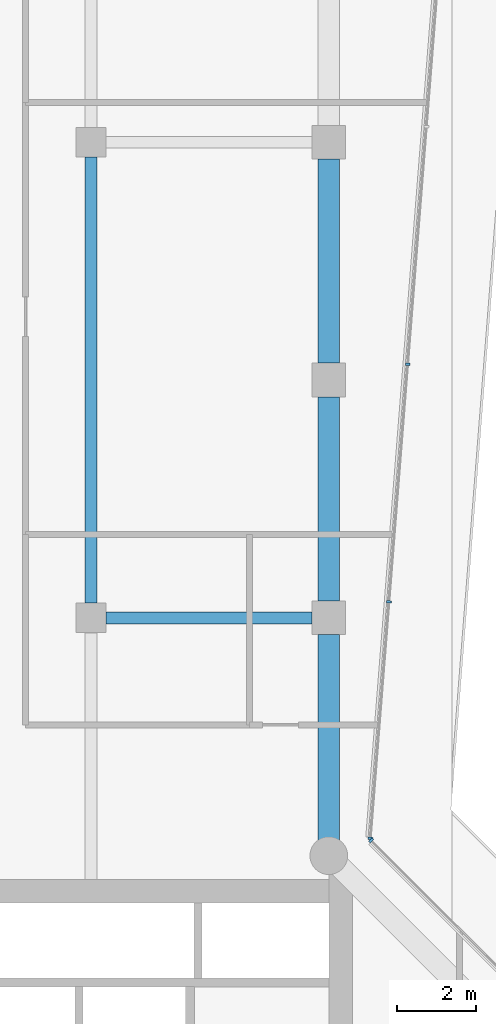
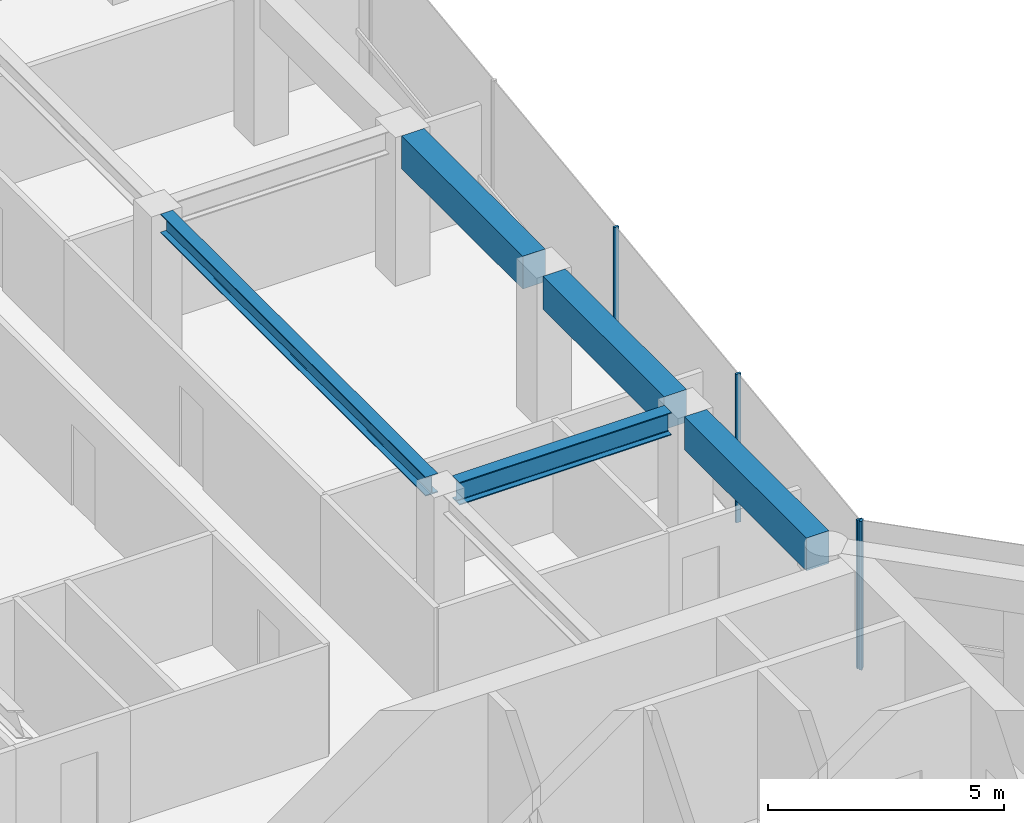
# One storey, part 9 of 22: 5 beams, 4 members, 2 elements without a shape of their own.
"""IFC4 building model written with IfcOpenShell, lengths in metres."""

from ifc_helpers import new_model, si_unit, direction, frame, origin, origin_2d, place, context, subcontext, project, spatial, rectangle, i_section, extrude, material, layer, layer_set, material_profile, profile_set, type_object, element, aggregate, save


model = new_model("IFC4")

# Units and contexts
model_context = context("Model", 3, precision=1e-05, world=origin(), true_north=direction((0.0, 1.0)))
body_context = subcontext(model_context, "Body", "Model", "MODEL_VIEW")
ifc_project = project(units=[si_unit("LENGTHUNIT", "METRE"), si_unit("AREAUNIT", "SQUARE_METRE"), si_unit("VOLUMEUNIT", "CUBIC_METRE"), si_unit("PLANEANGLEUNIT", "RADIAN"), si_unit("MASSUNIT", "GRAM", prefix="KILO")], contexts=[model_context])

# Site, building, storey
site_placement = place(None, origin())
site = spatial("IfcSite", under=ifc_project, at=site_placement, CompositionType="ELEMENT")
building_placement = place(site_placement, origin())
building = spatial("IfcBuilding", under=site, at=building_placement, Name="Welwitschia Terrace Campus", CompositionType="ELEMENT")
storey_placement = place(building_placement, frame((0.0, 0.0, 150.800048828125)))
storey = spatial("IfcBuildingStorey", under=building, at=storey_placement, Name="L33", CompositionType="ELEMENT", Elevation=150.800048828125)

# Beam
ifc_material_1 = material(Name="Steel S355", Category="steel")
ifc_material_profile_1 = material_profile(ifc_material_1, i_section(OverallWidth=0.300048828125, OverallDepth=0.489990234375, WebThickness=0.011962890625, FlangeThickness=0.02294921875, FilletRadius=0.027099609375, at=origin_2d()))
ifc_profile_set_1 = profile_set([ifc_material_profile_1], Name="Steel S355")
beam_type_1 = type_object("IfcBeamType", Name="Interior girder HE 500 A", PredefinedType="BEAM", material=ifc_profile_set_1)
beam_1_placement = place(storey_placement, frame((18.0, 32.37548828125, 3.60498046875), z_axis=(0.0, 1.0, 0.0), x_axis=(-1.0, 0.0, 0.0)))
element("IfcBeam", 1, at=beam_1_placement, inside=storey, type_object=beam_type_1, Name="Girder GB4", PredefinedType="BEAM", context=body_context, shape_type="SweptSolid", body=[
    extrude(i_section(OverallWidth=0.300048828125, OverallDepth=0.489990234375, WebThickness=0.011962890625, FlangeThickness=0.02294921875, FilletRadius=0.027099609375, at=origin_2d()), origin(), (0.0, 0.0, 1.0), 11.2490234375),
])

# Curtain wall, member
ifc_material_2 = material(Name="Bronze anodised aluminium", Category="aluminium")
ifc_layer = layer(ifc_material_2, 0.1201171875)
ifc_layer_set = layer_set([ifc_layer], Name="Bronze anodised aluminium")
curtain_wall_type = type_object("IfcCurtainWallType", Name="Curtain wall CW2 tower 6000", PredefinedType="NOTDEFINED", material=ifc_layer_set)
curtain_wall_1_placement = place(storey_placement, origin())
curtain_wall_1 = element("IfcCurtainWall", 2, at=curtain_wall_1_placement, inside=storey, type_object=curtain_wall_type, Name="CW L33.8.0", PredefinedType="NOTDEFINED")
ifc_material_3 = material(Name="Bronze anodised aluminium", Category="aluminium")
ifc_material_profile_2 = material_profile(ifc_material_3, rectangle(XDim=0.1201171875, YDim=0.06005859375, at=origin_2d()))
ifc_profile_set_2 = profile_set([ifc_material_profile_2], Name="Bronze anodised aluminium")
member_type = type_object("IfcMemberType", Name="Mullion 60x120", PredefinedType="MULLION", material=ifc_profile_set_2)
member_1_placement = place(storey_placement, frame((25.069091796875, 26.387451171875, 0.0), z_axis=(0.0, 0.0, 1.0), x_axis=(-0.707106781187, -0.707106781187, 0.0)))
member_1 = element("IfcMember", 3, at=member_1_placement, type_object=member_type, Name="Mullion L33.8.0.1", PredefinedType="MULLION", context=body_context, shape_type="SweptSolid", body=[
    extrude(rectangle(XDim=0.1201171875, YDim=0.06005859375, at=origin_2d()), origin(), (0.0, 0.0, 1.0), 3.849853515625),
])
aggregate(curtain_wall_1, [member_1])

# Curtain wall, members
curtain_wall_2_placement = place(storey_placement, origin())
curtain_wall_2 = element("IfcCurtainWall", 4, at=curtain_wall_2_placement, inside=storey, type_object=curtain_wall_type, Name="CW L33.9.0", PredefinedType="NOTDEFINED")
member_2_placement = place(storey_placement, frame((25.05029296875, 26.438720703125, 0.0), z_axis=(0.0, 0.0, 1.0), x_axis=(-0.996917333733, 0.078459095728, 0.0)))
member_2 = element("IfcMember", 5, at=member_2_placement, type_object=member_type, Name="Mullion L33.9.0.0", PredefinedType="MULLION", context=body_context, shape_type="SweptSolid", body=[
    extrude(rectangle(XDim=0.1201171875, YDim=0.06005859375, at=origin_2d()), origin(), (0.0, 0.0, 1.0), 3.849853515625),
])
member_3_placement = place(storey_placement, frame((25.519775390625, 32.40380859375, 0.0), z_axis=(0.0, 0.0, 1.0), x_axis=(-0.996917333733, 0.078459095728, 0.0)))
member_3 = element("IfcMember", 6, at=member_3_placement, type_object=member_type, Name="Mullion L33.9.0.1", PredefinedType="MULLION", context=body_context, shape_type="SweptSolid", body=[
    extrude(rectangle(XDim=0.1201171875, YDim=0.06005859375, at=origin_2d()), origin(), (0.0, 0.0, 1.0), 3.849853515625),
])
member_4_placement = place(storey_placement, frame((25.991455078125, 38.398681640625, 0.0), z_axis=(0.0, 0.0, 1.0), x_axis=(-0.996917333733, 0.078459095728, 0.0)))
member_4 = element("IfcMember", 7, at=member_4_placement, type_object=member_type, Name="Mullion L33.9.0.2", PredefinedType="MULLION", context=body_context, shape_type="SweptSolid", body=[
    extrude(rectangle(XDim=0.1201171875, YDim=0.06005859375, at=origin_2d()), origin(), (0.0, 0.0, 1.0), 3.849853515625),
])
aggregate(curtain_wall_2, [member_2, member_3, member_4])

# Beams
ifc_material_4 = material(Name="Steel S355", Category="steel")
ifc_material_profile_3 = material_profile(ifc_material_4, i_section(OverallWidth=0.300048828125, OverallDepth=0.590087890625, WebThickness=0.012939453125, FlangeThickness=0.02490234375, FilletRadius=0.027099609375, at=origin_2d()))
ifc_profile_set_3 = profile_set([ifc_material_profile_3], Name="Steel S355")
beam_type_2 = type_object("IfcBeamType", Name="Primary beam HE 600 A", PredefinedType="BEAM", material=ifc_profile_set_3)
beam_2_placement = place(storey_placement, frame((23.574462890625, 32.0, 3.554931640625), z_axis=(-1.0, 0.0, 0.0), x_axis=(0.0, -1.0, 0.0)))
element("IfcBeam", 8, at=beam_2_placement, inside=storey, type_object=beam_type_2, Name="Primary beam PB4", PredefinedType="BEAM", context=body_context, shape_type="SweptSolid", body=[
    extrude(i_section(OverallWidth=0.300048828125, OverallDepth=0.590087890625, WebThickness=0.012939453125, FlangeThickness=0.02490234375, FilletRadius=0.027099609375, at=origin_2d()), origin(), (0.0, 0.0, 1.0), 5.198974609375),
])
ifc_material_5 = material(Name="Concrete C50/60", Category="concrete")
ifc_material_profile_4 = material_profile(ifc_material_5, rectangle(XDim=0.550048828125, YDim=0.85009765625, at=origin_2d()))
ifc_profile_set_4 = profile_set([ifc_material_profile_4], Name="Concrete C50/60")
beam_type_3 = type_object("IfcBeamType", Name="Ring spandrel 550x850", PredefinedType="SPANDREL", material=ifc_profile_set_4)
beam_3_placement = place(storey_placement, frame((24.0, 26.387939453125, 3.425048828125), z_axis=(0.0, 1.0, 0.0), x_axis=(-1.0, 0.0, 0.0)))
element("IfcBeam", 9, at=beam_3_placement, inside=storey, type_object=beam_type_3, Name="Spandrel SP3", PredefinedType="SPANDREL", context=body_context, shape_type="SweptSolid", body=[
    extrude(rectangle(XDim=0.550048828125, YDim=0.85009765625, at=origin_2d()), origin(), (0.0, 0.0, 1.0), 5.1865234375),
])
for number, where, z_axis, x_axis, name in (
    (10, (24.0, 32.425537109375, 3.425048828125), (0.0, 1.0, 0.0), (-1.0, 0.0, 0.0), "Spandrel SP3"),
    (11, (24.0, 38.425537109375, 3.425048828125), (0.0, 1.0, 0.0), (-1.0, 0.0, 0.0), "Spandrel SP3"),
):
    element("IfcBeam", number, at=place(storey_placement, frame(where, z_axis=z_axis, x_axis=x_axis)), inside=storey, type_object=beam_type_3, Name=name, PredefinedType="SPANDREL", context=body_context, shape_type="SweptSolid", body=[
        extrude(rectangle(XDim=0.550048828125, YDim=0.85009765625, at=origin_2d()), origin(), (0.0, 0.0, 1.0), 5.14892578125),
    ])

save(model, "model.ifc")
